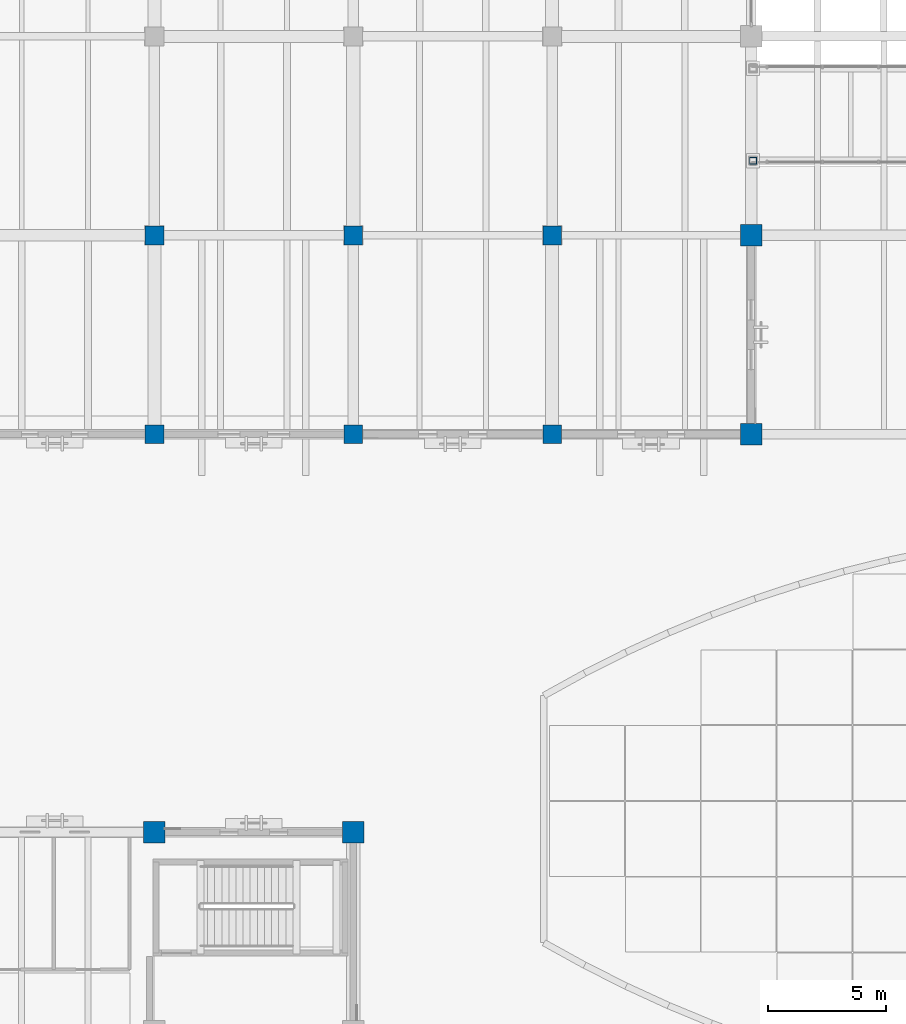
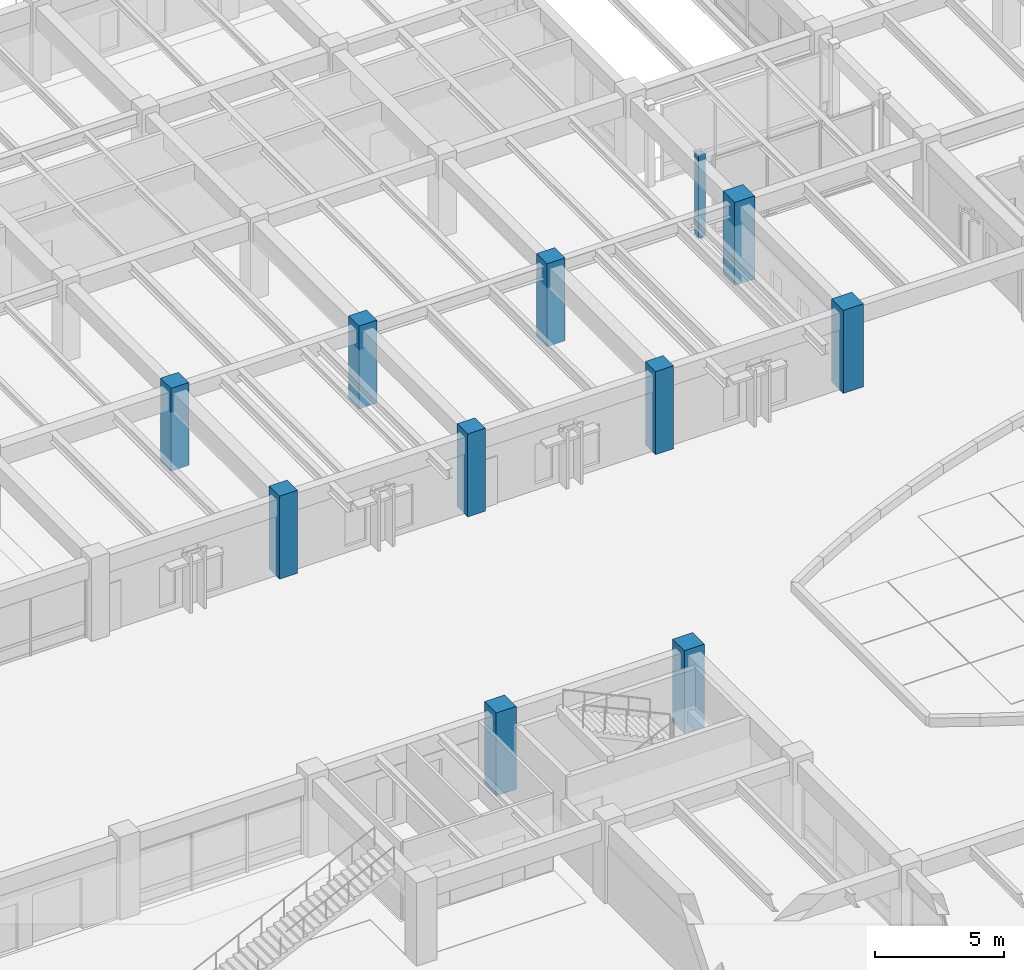
# One storey, part 13 of 135: 11 columns.
"""IFC4 building model written with IfcOpenShell, lengths in metres."""

import ifcopenshell
import ifcopenshell.guid

model = None  # the IFC model being written
_history = None  # IfcOwnerHistory: only IFC2X3 demands one
_inside = {}  # id of a spatial element -> (the spatial element, [elements in it])
_under = {}  # id of a project, library or spatial element -> (it, [spatial elements below it])
_declared = {}  # id of a project -> (the project, [libraries it declares])
_typed = {}  # id of a type object -> (the type object, [elements of that type])
_made_of = {}  # id of a material, layer set ... -> (it, [elements and type objects made of it])


def new_model(schema):
    """Start an empty IFC model of exactly this schema.

    Asked for "IFC4X3", IfcOpenShell would pick the latest addendum, in which some entities
    have other attributes; the version numbers below select the first issue.
    IFC2X3 requires an IfcOwnerHistory on every rooted entity: one is made here for all.
    """
    global model, _history
    if schema == "IFC4X3":
        model = ifcopenshell.file(schema_version=(4, 3, 0, 0))
    else:
        model = ifcopenshell.file(schema=schema)
    _inside.clear()
    _under.clear()
    _declared.clear()
    _typed.clear()
    _made_of.clear()
    _history = None
    if model.schema == "IFC2X3":
        org = make("IfcOrganization", Name="unknown")
        user = make(
            "IfcPersonAndOrganization",
            ThePerson=make("IfcPerson", FamilyName="unknown"),
            TheOrganization=org,
        )
        app = make(
            "IfcApplication",
            ApplicationDeveloper=org,
            Version="unknown",
            ApplicationFullName="unknown",
            ApplicationIdentifier="unknown",
        )
        _history = make(
            "IfcOwnerHistory",
            OwningUser=user,
            OwningApplication=app,
            ChangeAction="ADDED",
            CreationDate=0,
        )
    return model


def make(cls, **values):
    """One entity of the class cls with the attributes given. An attribute that is None is left unset."""
    return model.create_entity(
        cls, **{name: value for name, value in values.items() if value is not None}
    )


def rooted(cls, **values):
    """An entity with a GlobalId (a new one), such as an element, a storey or a relation."""
    return make(cls, GlobalId=ifcopenshell.guid.new(), OwnerHistory=_history, **values)


def si_unit(unit_type, name, prefix=None):
    """IfcSIUnit, for example si_unit("LENGTHUNIT", "METRE", prefix="MILLI")."""
    return make("IfcSIUnit", UnitType=unit_type, Prefix=prefix, Name=name)


def assignment(units):
    """IfcUnitAssignment: the units of a project."""
    return None if units is None else make("IfcUnitAssignment", Units=units)


def point(xyz):
    """IfcCartesianPoint."""
    return None if xyz is None else make("IfcCartesianPoint", Coordinates=xyz)


def direction(xyz):
    """IfcDirection."""
    return None if xyz is None else make("IfcDirection", DirectionRatios=xyz)


def frame(location, z_axis=None, x_axis=None):
    """IfcAxis2Placement3D, a coordinate frame: its origin and axes. An axis left out is left unset."""
    return make(
        "IfcAxis2Placement3D",
        Location=point(location),
        Axis=direction(z_axis),
        RefDirection=direction(x_axis),
    )


def frame_2d(location, x_axis=None):
    """IfcAxis2Placement2D, a coordinate frame in the plane: its origin and x axis."""
    return make(
        "IfcAxis2Placement2D", Location=point(location), RefDirection=direction(x_axis)
    )


def origin():
    """The frame at (0, 0, 0) with its axes left unset."""
    return frame((0.0, 0.0, 0.0))


def origin_2d():
    """The frame at (0, 0) in the plane with its x axis left unset."""
    return frame_2d((0.0, 0.0))


def place(relative_to, where):
    """IfcLocalPlacement: puts the frame where relative to a parent placement (None: the world)."""
    return make(
        "IfcLocalPlacement", PlacementRelTo=relative_to, RelativePlacement=where
    )


def context(
    kind, dimensions, precision=None, world=None, true_north=None, identifier=None
):
    """IfcGeometricRepresentationContext, for example the 3D "Model" context."""
    return make(
        "IfcGeometricRepresentationContext",
        ContextIdentifier=identifier,
        ContextType=kind,
        CoordinateSpaceDimension=dimensions,
        Precision=precision,
        WorldCoordinateSystem=world,
        TrueNorth=true_north,
    )


def subcontext(parent, identifier, kind, view, scale=None):
    """IfcGeometricRepresentationSubContext, for example "Body" below "Model"."""
    return make(
        "IfcGeometricRepresentationSubContext",
        ContextIdentifier=identifier,
        ContextType=kind,
        ParentContext=parent,
        TargetScale=scale,
        TargetView=view,
    )


def project(units=None, contexts=None):
    """IfcProject with its units and contexts."""
    return rooted(
        "IfcProject",
        Name="project",
        RepresentationContexts=contexts,
        UnitsInContext=assignment(units),
    )


def spatial(cls, under=None, at=None, **own):
    """A site, building, storey or space (cls), placed at a placement, below another one or the project."""
    s = rooted(cls, ObjectPlacement=at, **own)
    if under is not None:
        _under.setdefault(under.id(), (under, []))[1].append(s)
    return s


def profile(cls, at=None, kind="AREA", **sizes):
    """A parametric profile (cls). Its sizes go by their IFC names, for example OverallWidth=200.0."""
    return make(cls, ProfileType=kind, Position=at, **sizes)


def rectangle(**sizes):
    """IfcRectangleProfileDef."""
    return profile("IfcRectangleProfileDef", **sizes)


def hollow_rectangle(**sizes):
    """IfcRectangleHollowProfileDef."""
    return profile("IfcRectangleHollowProfileDef", **sizes)


def extrude(swept, where, along, depth):
    """IfcExtrudedAreaSolid: the profile swept, set in the frame where, extruded along a direction by depth."""
    return make(
        "IfcExtrudedAreaSolid",
        SweptArea=swept,
        Position=where,
        ExtrudedDirection=direction(along),
        Depth=depth,
    )


def shape(context_of_items, identifier, shape_type, items):
    """IfcShapeRepresentation: the items that make up one representation, for example the "Body"."""
    return make(
        "IfcShapeRepresentation",
        ContextOfItems=context_of_items,
        RepresentationIdentifier=identifier,
        RepresentationType=shape_type,
        Items=items,
    )


def material(Name=None, Category=None):
    """IfcMaterial."""
    return make("IfcMaterial", Name=Name, Category=Category)


def material_profile(
    of_material, cross_section, Name=None, Category=None, Priority=None
):
    """IfcMaterialProfile: a cross section and its material."""
    return make(
        "IfcMaterialProfile",
        Name=Name,
        Material=of_material,
        Profile=cross_section,
        Priority=Priority,
        Category=Category,
    )


def profile_set(profiles, Name=None, composite=None):
    """IfcMaterialProfileSet."""
    return make(
        "IfcMaterialProfileSet",
        Name=Name,
        MaterialProfiles=profiles,
        CompositeProfile=composite,
    )


def made_of(thing, what):
    """Note that an element or type object is made of a material, layer set ...; save() writes the relation."""
    if what is not None:
        _made_of.setdefault(what.id(), (what, []))[1].append(thing)
    return thing


def type_object(cls, material=None, **own):
    """A type object (cls), such as IfcWallType, which elements share."""
    return made_of(rooted(cls, **own), material)


def element(
    cls,
    number,
    at=None,
    inside=None,
    cuts=None,
    type_object=None,
    material=None,
    context=None,
    identifier="Body",
    shape_type=None,
    held_by="IfcProductDefinitionShape",
    body=None,
    shapes=None,
    **own,
):
    """One element of the class cls, such as IfcWall. Its Tag is "e" and its number.

    at: its placement. inside: the storey or other place that contains it. cuts: it is an
    opening in that element (IfcRelVoidsElement). A single representation is given by context,
    identifier, shape_type and body (its items); several are given by shapes. held_by: the class
    of the entity that holds the representations. save() writes the other relations.
    """
    e = rooted(cls, Tag="e%d" % number, ObjectPlacement=at, **own)
    if body is not None:
        shapes = [shape(context, identifier, shape_type, body)]
    if shapes is not None:
        e.Representation = make(held_by, Representations=shapes)
    if inside is not None:
        _inside.setdefault(inside.id(), (inside, []))[1].append(e)
    if cuts is not None:
        rooted(
            "IfcRelVoidsElement", RelatingBuildingElement=cuts, RelatedOpeningElement=e
        )
    if type_object is not None:
        _typed.setdefault(type_object.id(), (type_object, []))[1].append(e)
    return made_of(e, material)


def aggregate(whole, parts):
    """IfcRelAggregates: a whole, such as a stair, and the parts it consists of."""
    return rooted("IfcRelAggregates", RelatingObject=whole, RelatedObjects=parts)


def save(model, path):
    """Write the relations noted so far, then the file.

    IfcRelAggregates (storeys below a building ...), IfcRelContainedInSpatialStructure (elements
    in a storey), IfcRelDefinesByType, IfcRelAssociatesMaterial and IfcRelDeclares: one each for
    every whole, place, type object, material and project.
    """
    for whole, parts in _under.values():
        aggregate(whole, parts)
    for where, things in _inside.values():
        rooted(
            "IfcRelContainedInSpatialStructure",
            RelatedElements=things,
            RelatingStructure=where,
        )
    for kind, things in _typed.values():
        rooted("IfcRelDefinesByType", RelatedObjects=things, RelatingType=kind)
    for what, things in _made_of.values():
        rooted("IfcRelAssociatesMaterial", RelatedObjects=things, RelatingMaterial=what)
    for by, libraries in _declared.values():
        rooted("IfcRelDeclares", RelatingContext=by, RelatedDefinitions=libraries)
    model.write(path)


model = new_model("IFC4")

# Units and contexts
model_context = context("Model", 3, precision=1e-05, world=origin(), true_north=direction((0.0, 1.0)))
body_context = subcontext(model_context, "Body", "Model", "MODEL_VIEW")
ifc_project = project(units=[si_unit("LENGTHUNIT", "METRE"), si_unit("AREAUNIT", "SQUARE_METRE"), si_unit("VOLUMEUNIT", "CUBIC_METRE"), si_unit("PLANEANGLEUNIT", "RADIAN"), si_unit("MASSUNIT", "GRAM", prefix="KILO")], contexts=[model_context])

# Site, building, storey
site_placement = place(None, origin())
site = spatial("IfcSite", under=ifc_project, at=site_placement, CompositionType="ELEMENT")
building_placement = place(site_placement, origin())
building = spatial("IfcBuilding", under=site, at=building_placement, Name="Cumbredor Promenade Congress Hotel", CompositionType="ELEMENT")
storey_placement = place(building_placement, origin())
storey = spatial("IfcBuildingStorey", under=building, at=storey_placement, Name="L00", CompositionType="ELEMENT", Elevation=0.0)

# Columns
ifc_material_1 = material(Name="Concrete C50/60", Category="concrete")
ifc_material_profile_1 = material_profile(ifc_material_1, rectangle(XDim=0.800048828125, YDim=0.800048828125, at=origin_2d()), Name="RC 800x800")
ifc_profile_set_1 = profile_set([ifc_material_profile_1], Name="Concrete C50/60")
column_type_1 = type_object("IfcColumnType", Name="COL-RC-800", PredefinedType="COLUMN", material=ifc_profile_set_1)
for number, where, z_axis, x_axis, name in (
    (1, (58.800048828125, 84.0, 0.0), (0.0, 0.0, 1.0), (1.0, 0.0, 0.0), "L00 Structural Column 073"),
    (2, (58.800048828125, 92.39990234375, 0.0), (0.0, 0.0, 1.0), (1.0, 0.0, 0.0), "L00 Structural Column 074"),
    (3, (67.199951171875, 84.0, 0.0), (0.0, 0.0, 1.0), (1.0, 0.0, 0.0), "L00 Structural Column 086"),
    (4, (67.199951171875, 92.39990234375, 0.0), (0.0, 0.0, 1.0), (1.0, 0.0, 0.0), "L00 Structural Column 087"),
    (5, (75.60009765625, 84.0, 0.0), (0.0, 0.0, 1.0), (1.0, 0.0, 0.0), "L00 Structural Column 097"),
    (6, (75.60009765625, 92.39990234375, 0.0), (0.0, 0.0, 1.0), (1.0, 0.0, 0.0), "L00 Structural Column 098"),
):
    element("IfcColumn", number, at=place(storey_placement, frame(where, z_axis=z_axis, x_axis=x_axis)), inside=storey, type_object=column_type_1, Name=name, PredefinedType="COLUMN", context=body_context, shape_type="SweptSolid", body=[
        extrude(rectangle(XDim=0.800048828125, YDim=0.800048828125, at=origin_2d()), origin(), (0.0, 0.0, 1.0), 3.919921875),
    ])
ifc_material_profile_2 = material_profile(ifc_material_1, rectangle(XDim=0.89990234375, YDim=0.89990234375, at=origin_2d()), Name="RC 900x900")
ifc_profile_set_2 = profile_set([ifc_material_profile_2], Name="Concrete C50/60")
column_type_2 = type_object("IfcColumnType", Name="COL-RC-900", PredefinedType="COLUMN", material=ifc_profile_set_2)
for number, where, z_axis, x_axis, name in (
    (7, (58.800048828125, 67.199951171875, 0.0), (0.0, 0.0, 1.0), (1.0, 0.0, 0.0), "L00 Structural Column 072"),
    (8, (67.199951171875, 67.199951171875, 0.0), (0.0, 0.0, 1.0), (1.0, 0.0, 0.0), "L00 Structural Column 085"),
    (9, (84.0, 84.0, 0.0), (0.0, 0.0, 1.0), (1.0, 0.0, 0.0), "L00 Structural Column 106"),
    (10, (84.0, 92.39990234375, 0.0), (0.0, 0.0, 1.0), (1.0, 0.0, 0.0), "L00 Structural Column 107"),
):
    element("IfcColumn", number, at=place(storey_placement, frame(where, z_axis=z_axis, x_axis=x_axis)), inside=storey, type_object=column_type_2, Name=name, PredefinedType="COLUMN", context=body_context, shape_type="SweptSolid", body=[
        extrude(rectangle(XDim=0.89990234375, YDim=0.89990234375, at=origin_2d()), origin(), (0.0, 0.0, 1.0), 3.919921875),
    ])
ifc_material_2 = material(Name="Steel ASTM A500 Grade C", Category="steel")
ifc_material_profile_3 = material_profile(ifc_material_2, hollow_rectangle(XDim=0.300048828125, YDim=0.300048828125, WallThickness=0.01611328125, at=origin_2d()), Name="HSS 300x300x16")
ifc_profile_set_3 = profile_set([ifc_material_profile_3], Name="Steel ASTM A500 Grade C")
column_type_3 = type_object("IfcColumnType", Name="COL-STL-HSS300", PredefinedType="COLUMN", material=ifc_profile_set_3)
column_placement = place(storey_placement, frame((84.080078125, 95.550048828125, 0.0), z_axis=(0.0, 0.0, 1.0), x_axis=(1.0, 0.0, 0.0)))
element("IfcColumn", 11, at=column_placement, inside=storey, type_object=column_type_3, Name="L00 North Hotel-to-Forum Glazed Bridge Support Column 1", PredefinedType="COLUMN", context=body_context, shape_type="SweptSolid", body=[
    extrude(hollow_rectangle(XDim=0.300048828125, YDim=0.300048828125, WallThickness=0.01611328125, at=origin_2d()), origin(), (0.0, 0.0, 1.0), 3.919921875),
])

save(model, "model.ifc")
